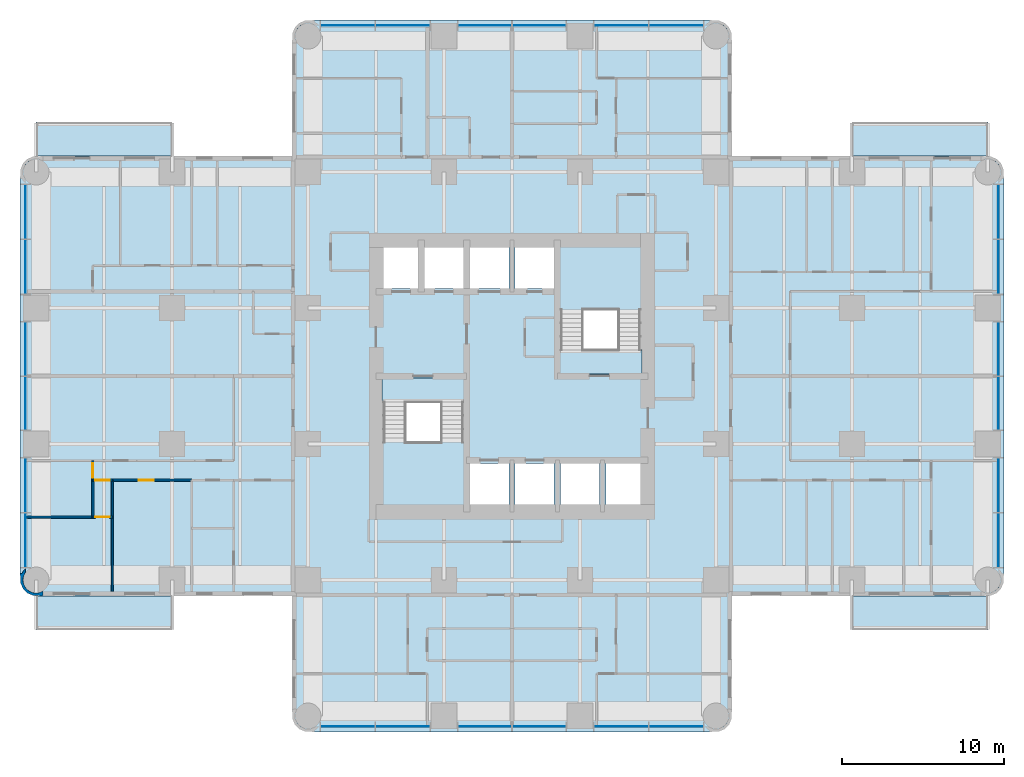
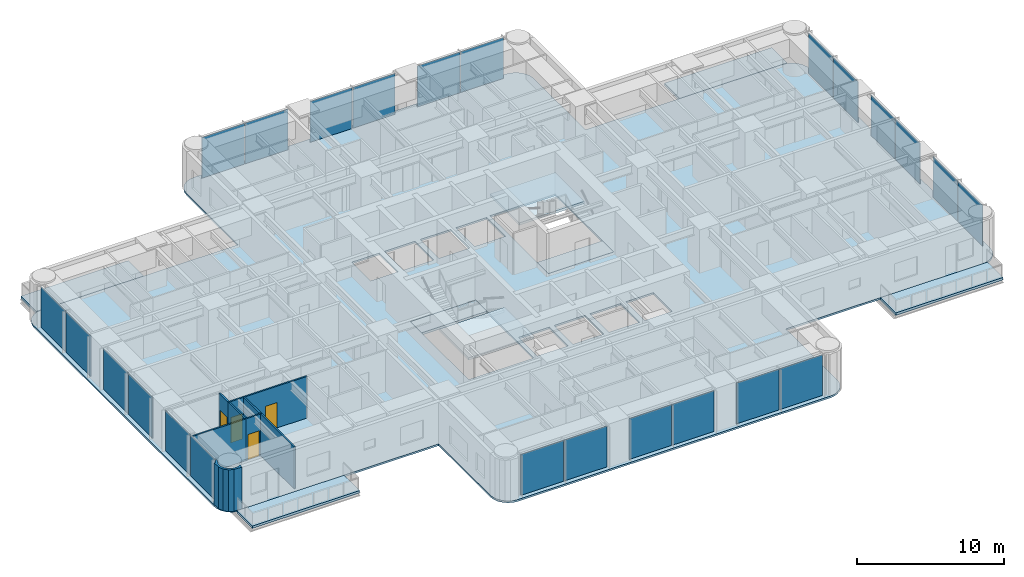
# One storey, part 5 of 14: 24 plates, 9 slabs, 9 walls, 4 doors, 4 openings, 6 elements without a shape of their own.
"""IFC4 building model written with IfcOpenShell, lengths in metres."""

from ifc_helpers import new_model, si_unit, direction, frame, frame_2d, origin, origin_2d, place, context, subcontext, project, spatial, polyline, rectangle, outline, extrude, material, layer, layer_set, type_object, element, fill, aggregate, save


model = new_model("IFC4")

# Units and contexts
model_context = context("Model", 3, precision=1e-05, world=origin(), true_north=direction((0.0, 1.0)))
body_context = subcontext(model_context, "Body", "Model", "MODEL_VIEW")
ifc_project = project(units=[si_unit("LENGTHUNIT", "METRE"), si_unit("AREAUNIT", "SQUARE_METRE"), si_unit("VOLUMEUNIT", "CUBIC_METRE"), si_unit("PLANEANGLEUNIT", "RADIAN"), si_unit("MASSUNIT", "GRAM", prefix="KILO")], contexts=[model_context])

# Site, building, storey
site_placement = place(None, origin())
site = spatial("IfcSite", under=ifc_project, at=site_placement, CompositionType="ELEMENT")
building_placement = place(site_placement, origin())
building = spatial("IfcBuilding", under=site, at=building_placement, Name="Torre Alcanfor", CompositionType="ELEMENT")
storey_placement = place(building_placement, frame((0.0, 0.0, 134.10009765625)))
storey = spatial("IfcBuildingStorey", under=building, at=storey_placement, Name="L34", CompositionType="ELEMENT", Elevation=134.10009765625)

# Slabs
ifc_material_1 = material(Name="Concrete f'c 35 MPa", Category="concrete")
ifc_layer_1 = layer(ifc_material_1, 0.199951171875)
ifc_layer_set_1 = layer_set([ifc_layer_1], Name="Balcony slab 200")
slab_type_1 = type_object("IfcSlabType", Name="Balcony slab 200", PredefinedType="FLOOR", material=ifc_layer_set_1)
slab_1_placement = place(storey_placement, frame((0.0, 0.0, -0.2001953125)))
element("IfcSlab", 1, at=slab_1_placement, inside=storey, type_object=slab_type_1, Name="Balcony L34-E1", PredefinedType="FLOOR", context=body_context, shape_type="SweptSolid", body=[
    extrude(outline(polyline([(50.39990234375, 43.0), (58.800048828125, 43.0), (58.800048828125, 45.10009765625), (50.39990234375, 45.10009765625), (50.39990234375, 43.0)])), origin(), (0.0, 0.0, 1.0), 0.2001953125),
])
slab_2_placement = place(storey_placement, frame((0.0, 0.0, -0.2001953125)))
element("IfcSlab", 2, at=slab_2_placement, inside=storey, type_object=slab_type_1, Name="Balcony L34-E2", PredefinedType="FLOOR", context=body_context, shape_type="SweptSolid", body=[
    extrude(outline(polyline([(50.39990234375, 13.699951171875), (58.800048828125, 13.699951171875), (58.800048828125, 15.800048828125), (50.39990234375, 15.800048828125), (50.39990234375, 13.699951171875)])), origin(), (0.0, 0.0, 1.0), 0.2001953125),
])
slab_3_placement = place(storey_placement, frame((0.0, 0.0, -0.2001953125)))
element("IfcSlab", 3, at=slab_3_placement, inside=storey, type_object=slab_type_1, Name="Balcony L34-W1", PredefinedType="FLOOR", context=body_context, shape_type="SweptSolid", body=[
    extrude(outline(polyline([(8.39990234375, 15.800048828125), (0.0, 15.800048828125), (0.0, 13.699951171875), (8.39990234375, 13.699951171875), (8.39990234375, 15.800048828125)])), origin(), (0.0, 0.0, 1.0), 0.2001953125),
])
slab_4_placement = place(storey_placement, frame((0.0, 0.0, -0.2001953125)))
element("IfcSlab", 4, at=slab_4_placement, inside=storey, type_object=slab_type_1, Name="Balcony L34-W2", PredefinedType="FLOOR", context=body_context, shape_type="SweptSolid", body=[
    extrude(outline(polyline([(8.39990234375, 45.10009765625), (0.0, 45.10009765625), (0.0, 43.0), (8.39990234375, 43.0), (8.39990234375, 45.10009765625)])), origin(), (0.0, 0.0, 1.0), 0.2001953125),
])

# Curtain wall, plates
ifc_material_2 = material(Name="Aluminium and glass", Category="aluminium")
curtain_wall_type = type_object("IfcCurtainWallType", Name="CW-A unitised apartment glazing with vertical FIN", PredefinedType="NOTDEFINED", material=ifc_material_2)
curtain_wall_1_placement = place(storey_placement, origin())
curtain_wall_1 = element("IfcCurtainWall", 5, at=curtain_wall_1_placement, inside=storey, type_object=curtain_wall_type, Name="Curtain wall CW-A L34 2", PredefinedType="NOTDEFINED")
ifc_material_3 = material(Name="Glass", Category="glass")
ifc_layer_2 = layer(ifc_material_3, 0.028076171875)
ifc_layer_set_2 = layer_set([ifc_layer_2], Name="CW-A clear double glazed unit")
plate_type = type_object("IfcPlateType", Name="CW-A clear double glazed unit", PredefinedType="CURTAIN_PANEL", material=ifc_layer_set_2)
plate_1_placement = place(storey_placement, frame((-0.64990234375, 39.541259765625, 0.0), z_axis=(0.0, 0.0, 1.0), x_axis=(0.0, -1.0, 0.0)))
plate_1 = element("IfcPlate", 6, at=plate_1_placement, type_object=plate_type, Name="CW-A panel 1.1.1", PredefinedType="CURTAIN_PANEL", context=body_context, shape_type="SweptSolid", body=[
    extrude(rectangle(XDim=3.337646484375, YDim=0.028076171875, at=origin_2d()), origin(), (0.0, 0.0, 1.0), 3.385009765625),
])
plate_2_placement = place(storey_placement, frame((-0.64990234375, 36.138671875, 0.0), z_axis=(0.0, 0.0, 1.0), x_axis=(0.0, -1.0, 0.0)))
plate_2 = element("IfcPlate", 7, at=plate_2_placement, type_object=plate_type, Name="CW-A panel 1.2.1", PredefinedType="CURTAIN_PANEL", context=body_context, shape_type="SweptSolid", body=[
    extrude(rectangle(XDim=3.337646484375, YDim=0.028076171875, at=origin_2d()), origin(), (0.0, 0.0, 1.0), 3.385009765625),
])
plate_3_placement = place(storey_placement, frame((-0.64990234375, 31.081298828125, 0.0), z_axis=(0.0, 0.0, 1.0), x_axis=(0.0, -1.0, 0.0)))
plate_3 = element("IfcPlate", 8, at=plate_3_placement, type_object=plate_type, Name="CW-A panel 2.1.1", PredefinedType="CURTAIN_PANEL", context=body_context, shape_type="SweptSolid", body=[
    extrude(rectangle(XDim=3.297607421875, YDim=0.028076171875, at=origin_2d()), origin(), (0.0, 0.0, 1.0), 3.385009765625),
])
plate_4_placement = place(storey_placement, frame((-0.64990234375, 27.71875, 0.0), z_axis=(0.0, 0.0, 1.0), x_axis=(0.0, -1.0, 0.0)))
plate_4 = element("IfcPlate", 9, at=plate_4_placement, type_object=plate_type, Name="CW-A panel 2.2.1", PredefinedType="CURTAIN_PANEL", context=body_context, shape_type="SweptSolid", body=[
    extrude(rectangle(XDim=3.297607421875, YDim=0.028076171875, at=origin_2d()), origin(), (0.0, 0.0, 1.0), 3.385009765625),
])
plate_5_placement = place(storey_placement, frame((-0.64990234375, 22.6611328125, 0.0), z_axis=(0.0, 0.0, 1.0), x_axis=(0.0, -1.0, 0.0)))
plate_5 = element("IfcPlate", 10, at=plate_5_placement, type_object=plate_type, Name="CW-A panel 3.1.1", PredefinedType="CURTAIN_PANEL", context=body_context, shape_type="SweptSolid", body=[
    extrude(rectangle(XDim=3.337646484375, YDim=0.028076171875, at=origin_2d()), origin(), (0.0, 0.0, 1.0), 3.385009765625),
])
plate_6_placement = place(storey_placement, frame((-0.64990234375, 19.2587890625, 0.0), z_axis=(0.0, 0.0, 1.0), x_axis=(0.0, -1.0, 0.0)))
plate_6 = element("IfcPlate", 11, at=plate_6_placement, type_object=plate_type, Name="CW-A panel 3.2.1", PredefinedType="CURTAIN_PANEL", context=body_context, shape_type="SweptSolid", body=[
    extrude(rectangle(XDim=3.337646484375, YDim=0.028076171875, at=origin_2d()), origin(), (0.0, 0.0, 1.0), 3.385009765625),
])
aggregate(curtain_wall_1, [plate_1, plate_2, plate_3, plate_4, plate_5, plate_6])

curtain_wall_2_placement = place(storey_placement, origin())
curtain_wall_2 = element("IfcCurtainWall", 12, at=curtain_wall_2_placement, inside=storey, type_object=curtain_wall_type, Name="Curtain wall CW-A L34 5", PredefinedType="NOTDEFINED")
plate_7_placement = place(storey_placement, frame((19.2587890625, 7.75, 0.0), z_axis=(0.0, 0.0, 1.0), x_axis=(1.0, 0.0, 0.0)))
plate_7 = element("IfcPlate", 13, at=plate_7_placement, type_object=plate_type, Name="CW-A panel 1.1.1", PredefinedType="CURTAIN_PANEL", context=body_context, shape_type="SweptSolid", body=[
    extrude(rectangle(XDim=3.337646484375, YDim=0.028076171875, at=origin_2d()), origin(), (0.0, 0.0, 1.0), 3.385009765625),
])
plate_8_placement = place(storey_placement, frame((22.6611328125, 7.75, 0.0), z_axis=(0.0, 0.0, 1.0), x_axis=(1.0, 0.0, 0.0)))
plate_8 = element("IfcPlate", 14, at=plate_8_placement, type_object=plate_type, Name="CW-A panel 1.2.1", PredefinedType="CURTAIN_PANEL", context=body_context, shape_type="SweptSolid", body=[
    extrude(rectangle(XDim=3.337646484375, YDim=0.028076171875, at=origin_2d()), origin(), (0.0, 0.0, 1.0), 3.385009765625),
])
plate_9_placement = place(storey_placement, frame((27.71875, 7.75, 0.0), z_axis=(0.0, 0.0, 1.0), x_axis=(1.0, 0.0, 0.0)))
plate_9 = element("IfcPlate", 15, at=plate_9_placement, type_object=plate_type, Name="CW-A panel 2.1.1", PredefinedType="CURTAIN_PANEL", context=body_context, shape_type="SweptSolid", body=[
    extrude(rectangle(XDim=3.297607421875, YDim=0.028076171875, at=origin_2d()), origin(), (0.0, 0.0, 1.0), 3.385009765625),
])
plate_10_placement = place(storey_placement, frame((31.081298828125, 7.75, 0.0), z_axis=(0.0, 0.0, 1.0), x_axis=(1.0, 0.0, 0.0)))
plate_10 = element("IfcPlate", 16, at=plate_10_placement, type_object=plate_type, Name="CW-A panel 2.2.1", PredefinedType="CURTAIN_PANEL", context=body_context, shape_type="SweptSolid", body=[
    extrude(rectangle(XDim=3.297607421875, YDim=0.028076171875, at=origin_2d()), origin(), (0.0, 0.0, 1.0), 3.385009765625),
])
plate_11_placement = place(storey_placement, frame((36.138671875, 7.75, 0.0), z_axis=(0.0, 0.0, 1.0), x_axis=(1.0, 0.0, 0.0)))
plate_11 = element("IfcPlate", 17, at=plate_11_placement, type_object=plate_type, Name="CW-A panel 3.1.1", PredefinedType="CURTAIN_PANEL", context=body_context, shape_type="SweptSolid", body=[
    extrude(rectangle(XDim=3.337646484375, YDim=0.028076171875, at=origin_2d()), origin(), (0.0, 0.0, 1.0), 3.385009765625),
])
plate_12_placement = place(storey_placement, frame((39.541259765625, 7.75, 0.0), z_axis=(0.0, 0.0, 1.0), x_axis=(1.0, 0.0, 0.0)))
plate_12 = element("IfcPlate", 18, at=plate_12_placement, type_object=plate_type, Name="CW-A panel 3.2.1", PredefinedType="CURTAIN_PANEL", context=body_context, shape_type="SweptSolid", body=[
    extrude(rectangle(XDim=3.337646484375, YDim=0.028076171875, at=origin_2d()), origin(), (0.0, 0.0, 1.0), 3.385009765625),
])
aggregate(curtain_wall_2, [plate_7, plate_8, plate_9, plate_10, plate_11, plate_12])

curtain_wall_3_placement = place(storey_placement, origin())
curtain_wall_3 = element("IfcCurtainWall", 19, at=curtain_wall_3_placement, inside=storey, type_object=curtain_wall_type, Name="Curtain wall CW-A L34 8", PredefinedType="NOTDEFINED")
plate_13_placement = place(storey_placement, frame((59.449951171875, 19.2587890625, 0.0), z_axis=(0.0, 0.0, 1.0), x_axis=(0.0, 1.0, 0.0)))
plate_13 = element("IfcPlate", 20, at=plate_13_placement, type_object=plate_type, Name="CW-A panel 1.1.1", PredefinedType="CURTAIN_PANEL", context=body_context, shape_type="SweptSolid", body=[
    extrude(rectangle(XDim=3.337646484375, YDim=0.028076171875, at=origin_2d()), origin(), (0.0, 0.0, 1.0), 3.385009765625),
])
plate_14_placement = place(storey_placement, frame((59.449951171875, 22.6611328125, 0.0), z_axis=(0.0, 0.0, 1.0), x_axis=(0.0, 1.0, 0.0)))
plate_14 = element("IfcPlate", 21, at=plate_14_placement, type_object=plate_type, Name="CW-A panel 1.2.1", PredefinedType="CURTAIN_PANEL", context=body_context, shape_type="SweptSolid", body=[
    extrude(rectangle(XDim=3.337646484375, YDim=0.028076171875, at=origin_2d()), origin(), (0.0, 0.0, 1.0), 3.385009765625),
])
plate_15_placement = place(storey_placement, frame((59.449951171875, 27.71875, 0.0), z_axis=(0.0, 0.0, 1.0), x_axis=(0.0, 1.0, 0.0)))
plate_15 = element("IfcPlate", 22, at=plate_15_placement, type_object=plate_type, Name="CW-A panel 2.1.1", PredefinedType="CURTAIN_PANEL", context=body_context, shape_type="SweptSolid", body=[
    extrude(rectangle(XDim=3.297607421875, YDim=0.028076171875, at=origin_2d()), origin(), (0.0, 0.0, 1.0), 3.385009765625),
])
plate_16_placement = place(storey_placement, frame((59.449951171875, 31.081298828125, 0.0), z_axis=(0.0, 0.0, 1.0), x_axis=(0.0, 1.0, 0.0)))
plate_16 = element("IfcPlate", 23, at=plate_16_placement, type_object=plate_type, Name="CW-A panel 2.2.1", PredefinedType="CURTAIN_PANEL", context=body_context, shape_type="SweptSolid", body=[
    extrude(rectangle(XDim=3.297607421875, YDim=0.028076171875, at=origin_2d()), origin(), (0.0, 0.0, 1.0), 3.385009765625),
])
plate_17_placement = place(storey_placement, frame((59.449951171875, 36.138671875, 0.0), z_axis=(0.0, 0.0, 1.0), x_axis=(0.0, 1.0, 0.0)))
plate_17 = element("IfcPlate", 24, at=plate_17_placement, type_object=plate_type, Name="CW-A panel 3.1.1", PredefinedType="CURTAIN_PANEL", context=body_context, shape_type="SweptSolid", body=[
    extrude(rectangle(XDim=3.337646484375, YDim=0.028076171875, at=origin_2d()), origin(), (0.0, 0.0, 1.0), 3.385009765625),
])
plate_18_placement = place(storey_placement, frame((59.449951171875, 39.541259765625, 0.0), z_axis=(0.0, 0.0, 1.0), x_axis=(0.0, 1.0, 0.0)))
plate_18 = element("IfcPlate", 25, at=plate_18_placement, type_object=plate_type, Name="CW-A panel 3.2.1", PredefinedType="CURTAIN_PANEL", context=body_context, shape_type="SweptSolid", body=[
    extrude(rectangle(XDim=3.337646484375, YDim=0.028076171875, at=origin_2d()), origin(), (0.0, 0.0, 1.0), 3.385009765625),
])
aggregate(curtain_wall_3, [plate_13, plate_14, plate_15, plate_16, plate_17, plate_18])

curtain_wall_4_placement = place(storey_placement, origin())
curtain_wall_4 = element("IfcCurtainWall", 26, at=curtain_wall_4_placement, inside=storey, type_object=curtain_wall_type, Name="Curtain wall CW-A L34 11", PredefinedType="NOTDEFINED")
plate_19_placement = place(storey_placement, frame((39.541259765625, 51.050048828125, 0.0), z_axis=(0.0, 0.0, 1.0), x_axis=(-1.0, 0.0, 0.0)))
plate_19 = element("IfcPlate", 27, at=plate_19_placement, type_object=plate_type, Name="CW-A panel 1.1.1", PredefinedType="CURTAIN_PANEL", context=body_context, shape_type="SweptSolid", body=[
    extrude(rectangle(XDim=3.337646484375, YDim=0.028076171875, at=origin_2d()), origin(), (0.0, 0.0, 1.0), 3.385009765625),
])
plate_20_placement = place(storey_placement, frame((36.138671875, 51.050048828125, 0.0), z_axis=(0.0, 0.0, 1.0), x_axis=(-1.0, 0.0, 0.0)))
plate_20 = element("IfcPlate", 28, at=plate_20_placement, type_object=plate_type, Name="CW-A panel 1.2.1", PredefinedType="CURTAIN_PANEL", context=body_context, shape_type="SweptSolid", body=[
    extrude(rectangle(XDim=3.337646484375, YDim=0.028076171875, at=origin_2d()), origin(), (0.0, 0.0, 1.0), 3.385009765625),
])
plate_21_placement = place(storey_placement, frame((31.081298828125, 51.050048828125, 0.0), z_axis=(0.0, 0.0, 1.0), x_axis=(-1.0, 0.0, 0.0)))
plate_21 = element("IfcPlate", 29, at=plate_21_placement, type_object=plate_type, Name="CW-A panel 2.1.1", PredefinedType="CURTAIN_PANEL", context=body_context, shape_type="SweptSolid", body=[
    extrude(rectangle(XDim=3.297607421875, YDim=0.028076171875, at=origin_2d()), origin(), (0.0, 0.0, 1.0), 3.385009765625),
])
plate_22_placement = place(storey_placement, frame((27.71875, 51.050048828125, 0.0), z_axis=(0.0, 0.0, 1.0), x_axis=(-1.0, 0.0, 0.0)))
plate_22 = element("IfcPlate", 30, at=plate_22_placement, type_object=plate_type, Name="CW-A panel 2.2.1", PredefinedType="CURTAIN_PANEL", context=body_context, shape_type="SweptSolid", body=[
    extrude(rectangle(XDim=3.297607421875, YDim=0.028076171875, at=origin_2d()), origin(), (0.0, 0.0, 1.0), 3.385009765625),
])
plate_23_placement = place(storey_placement, frame((22.6611328125, 51.050048828125, 0.0), z_axis=(0.0, 0.0, 1.0), x_axis=(-1.0, 0.0, 0.0)))
plate_23 = element("IfcPlate", 31, at=plate_23_placement, type_object=plate_type, Name="CW-A panel 3.1.1", PredefinedType="CURTAIN_PANEL", context=body_context, shape_type="SweptSolid", body=[
    extrude(rectangle(XDim=3.337646484375, YDim=0.028076171875, at=origin_2d()), origin(), (0.0, 0.0, 1.0), 3.385009765625),
])
plate_24_placement = place(storey_placement, frame((19.2587890625, 51.050048828125, 0.0), z_axis=(0.0, 0.0, 1.0), x_axis=(-1.0, 0.0, 0.0)))
plate_24 = element("IfcPlate", 32, at=plate_24_placement, type_object=plate_type, Name="CW-A panel 3.2.1", PredefinedType="CURTAIN_PANEL", context=body_context, shape_type="SweptSolid", body=[
    extrude(rectangle(XDim=3.337646484375, YDim=0.028076171875, at=origin_2d()), origin(), (0.0, 0.0, 1.0), 3.385009765625),
])
aggregate(curtain_wall_4, [plate_19, plate_20, plate_21, plate_22, plate_23, plate_24])

# Slab
ifc_material_4 = material(Name="Concrete f'c 35 MPa", Category="concrete")
ifc_layer_3 = layer(ifc_material_4, 0.14990234375)
ifc_layer_set_3 = layer_set([ifc_layer_3], Name="Composite floor 150 on metal deck")
slab_type_2 = type_object("IfcSlabType", Name="Composite floor 150 on metal deck", PredefinedType="FLOOR", material=ifc_layer_set_3)
slab_5_placement = place(storey_placement, frame((0.0, 0.0, -0.150146484375)))
element("IfcSlab", 33, at=slab_5_placement, inside=storey, type_object=slab_type_2, Name="Floor slab L34", PredefinedType="FLOOR", context=body_context, shape_type="SweptSolid", body=[
    extrude(outline(polyline([(15.800048828125, 43.0), (0.39990234375, 43.0), (0.03759765625, 42.952392578125), (-0.300048828125, 42.8125), (-0.58984375, 42.58984375), (-0.8125, 42.300048828125), (-0.952392578125, 41.96240234375), (-1.0, 41.60009765625), (-1.0, 17.199951171875), (-0.952392578125, 16.837646484375), (-0.8125, 16.5), (-0.58984375, 16.210205078125), (-0.300048828125, 15.987548828125), (0.03759765625, 15.84765625), (0.39990234375, 15.800048828125), (15.800048828125, 15.800048828125), (15.800048828125, 8.800048828125), (15.84765625, 8.437744140625), (15.987548828125, 8.10009765625), (16.210205078125, 7.81005859375), (16.5, 7.587646484375), (16.837646484375, 7.44775390625), (17.199951171875, 7.39990234375), (41.60009765625, 7.39990234375), (41.96240234375, 7.44775390625), (42.300048828125, 7.587646484375), (42.58984375, 7.81005859375), (42.8125, 8.10009765625), (42.952392578125, 8.437744140625), (43.0, 8.800048828125), (43.0, 15.800048828125), (58.39990234375, 15.800048828125), (58.76220703125, 15.84765625), (59.10009765625, 15.987548828125), (59.389892578125, 16.210205078125), (59.6123046875, 16.5), (59.752197265625, 16.837646484375), (59.800048828125, 17.199951171875), (59.800048828125, 41.60009765625), (59.752197265625, 41.96240234375), (59.6123046875, 42.300048828125), (59.389892578125, 42.58984375), (59.10009765625, 42.8125), (58.76220703125, 42.952392578125), (58.39990234375, 43.0), (43.0, 43.0), (43.0, 50.0), (42.952392578125, 50.3623046875), (42.8125, 50.699951171875), (42.58984375, 50.989990234375), (42.300048828125, 51.21240234375), (41.96240234375, 51.352294921875), (41.60009765625, 51.39990234375), (17.199951171875, 51.39990234375), (16.837646484375, 51.352294921875), (16.5, 51.21240234375), (16.210205078125, 50.989990234375), (15.987548828125, 50.699951171875), (15.84765625, 50.3623046875), (15.800048828125, 50.0), (15.800048828125, 43.0)]), holes=[polyline([(21.3701171875, 21.3701171875), (26.47998046875, 21.3701171875), (26.47998046875, 29.280029296875), (21.3701171875, 29.280029296875), (21.3701171875, 21.3701171875)]), polyline([(32.320068359375, 29.52001953125), (37.429931640625, 29.52001953125), (37.429931640625, 37.429931640625), (32.320068359375, 37.429931640625), (32.320068359375, 29.52001953125)]), polyline([(26.800048828125, 21.449951171875), (29.199951171875, 21.449951171875), (29.199951171875, 24.0), (26.800048828125, 24.0), (26.800048828125, 21.449951171875)]), polyline([(29.60009765625, 21.449951171875), (32.0, 21.449951171875), (32.0, 24.0), (29.60009765625, 24.0), (29.60009765625, 21.449951171875)]), polyline([(32.39990234375, 21.449951171875), (34.800048828125, 21.449951171875), (34.800048828125, 24.0), (32.39990234375, 24.0), (32.39990234375, 21.449951171875)]), polyline([(35.199951171875, 21.449951171875), (37.35009765625, 21.449951171875), (37.35009765625, 24.0), (35.199951171875, 24.0), (35.199951171875, 21.449951171875)]), polyline([(21.449951171875, 34.800048828125), (23.60009765625, 34.800048828125), (23.60009765625, 37.35009765625), (21.449951171875, 37.35009765625), (21.449951171875, 34.800048828125)]), polyline([(24.0, 34.800048828125), (26.39990234375, 34.800048828125), (26.39990234375, 37.35009765625), (24.0, 37.35009765625), (24.0, 34.800048828125)]), polyline([(26.800048828125, 34.800048828125), (29.199951171875, 34.800048828125), (29.199951171875, 37.35009765625), (26.800048828125, 37.35009765625), (26.800048828125, 34.800048828125)]), polyline([(29.60009765625, 34.800048828125), (32.0, 34.800048828125), (32.0, 37.35009765625), (29.60009765625, 37.35009765625), (29.60009765625, 34.800048828125)])]), origin(), (0.0, 0.0, 1.0), 0.150146484375),
])

# Stair, slabs
ifc_material_5 = material(Name="Concrete f'c 35 MPa", Category="concrete")
stair_type_1 = type_object("IfcStairType", Name="Exit stair S1 1400 wide", PredefinedType="HALF_TURN_STAIR", material=ifc_material_5)
stair_1_placement = place(storey_placement, origin())
stair_1 = element("IfcStair", 34, at=stair_1_placement, inside=storey, type_object=stair_type_1, Name="Stair S1 L34 to L35", PredefinedType="HALF_TURN_STAIR")
ifc_material_6 = material(Name="Concrete f'c 35 MPa", Category="concrete")
ifc_layer_4 = layer(ifc_material_6, 0.199951171875)
ifc_layer_set_4 = layer_set([ifc_layer_4], Name="Stair landing 200")
slab_type_3 = type_object("IfcSlabType", Name="Stair landing 200", PredefinedType="LANDING", material=ifc_layer_set_4)
slab_6_placement = place(storey_placement, frame((0.0, 0.0, -0.2001953125)))
slab_6 = element("IfcSlab", 35, at=slab_6_placement, type_object=slab_type_3, Name="S1 landing 1", PredefinedType="LANDING", context=body_context, shape_type="SweptSolid", body=[
    extrude(outline(polyline([(21.3701171875, 27.75), (26.47998046875, 27.75), (26.47998046875, 29.280029296875), (21.3701171875, 29.280029296875), (21.3701171875, 27.75)])), origin(), (0.0, 0.0, 1.0), 0.2001953125),
])
slab_7_placement = place(storey_placement, frame((0.0, 0.0, 1.599853515625)))
slab_7 = element("IfcSlab", 36, at=slab_7_placement, type_object=slab_type_3, Name="S1 landing 2", PredefinedType="LANDING", context=body_context, shape_type="SweptSolid", body=[
    extrude(outline(polyline([(21.3701171875, 21.3701171875), (26.47998046875, 21.3701171875), (26.47998046875, 25.330078125), (21.3701171875, 25.330078125), (21.3701171875, 21.3701171875)])), origin(), (0.0, 0.0, 1.0), 0.199951171875),
])
aggregate(stair_1, [slab_6, slab_7])

ifc_material_7 = material(Name="Concrete f'c 35 MPa", Category="concrete")
stair_type_2 = type_object("IfcStairType", Name="Exit stair S2 1400 wide", PredefinedType="HALF_TURN_STAIR", material=ifc_material_7)
stair_2_placement = place(storey_placement, origin())
stair_2 = element("IfcStair", 37, at=stair_2_placement, inside=storey, type_object=stair_type_2, Name="Stair S2 L34 to L35", PredefinedType="HALF_TURN_STAIR")
slab_8_placement = place(storey_placement, frame((0.0, 0.0, -0.2001953125)))
slab_8 = element("IfcSlab", 38, at=slab_8_placement, type_object=slab_type_3, Name="S2 landing 1", PredefinedType="LANDING", context=body_context, shape_type="SweptSolid", body=[
    extrude(outline(polyline([(32.320068359375, 29.52001953125), (37.429931640625, 29.52001953125), (37.429931640625, 31.050048828125), (32.320068359375, 31.050048828125), (32.320068359375, 29.52001953125)])), origin(), (0.0, 0.0, 1.0), 0.2001953125),
])
slab_9_placement = place(storey_placement, frame((0.0, 0.0, 1.599853515625)))
slab_9 = element("IfcSlab", 39, at=slab_9_placement, type_object=slab_type_3, Name="S2 landing 2", PredefinedType="LANDING", context=body_context, shape_type="SweptSolid", body=[
    extrude(outline(polyline([(32.320068359375, 33.469970703125), (37.429931640625, 33.469970703125), (37.429931640625, 37.429931640625), (32.320068359375, 37.429931640625), (32.320068359375, 33.469970703125)])), origin(), (0.0, 0.0, 1.0), 0.199951171875),
])
aggregate(stair_2, [slab_8, slab_9])

# Wall, opening, door
ifc_material_8 = material(Name="Gypsum board on steel studs", Category="steel")
ifc_layer_5 = layer(ifc_material_8, 0.1201171875)
ifc_layer_set_5 = layer_set([ifc_layer_5], Name="Apartment partition 120")
wall_type_1 = type_object("IfcWallType", Name="Apartment partition 120", PredefinedType="PARTITIONING", material=ifc_layer_set_5)
wall_1_placement = place(storey_placement, frame((4.699951171875, 22.970947265625, 0.0), z_axis=(0.0, 0.0, 1.0), x_axis=(1.0, 0.0, 0.0)))
wall_1 = element("IfcWall", 40, at=wall_1_placement, inside=storey, type_object=wall_type_1, Name="Partition L34-W1-HALL / L34-W1-BED3", PredefinedType="PARTITIONING", context=body_context, shape_type="SweptSolid", body=[
    extrude(rectangle(XDim=4.900146484375, YDim=0.1201171875, at=frame_2d((2.4501953125, 0.0))), origin(), (0.0, 0.0, 1.0), 3.449951171875),
])
opening_1_placement = place(wall_1_placement, frame((1.64990234375, 0.0, 0.0)))
opening_1 = element("IfcOpeningElement", 41, at=opening_1_placement, cuts=wall_1, Name="Opening D-R1", PredefinedType="OPENING", context=body_context, shape_type="SweptSolid", body=[
    extrude(rectangle(XDim=0.89990234375, YDim=2.10009765625, at=frame_2d((0.449951171875, 1.050048828125))), frame((0.0, 0.070068359375, 0.0), z_axis=(0.0, -1.0, 0.0), x_axis=(1.0, 0.0, 0.0)), (0.0, 0.0, 1.0), 0.14013671875),
])
ifc_material_9 = material(Name="Timber", Category="wood")
door_type = type_object("IfcDoorType", Name="Internal door 900x2100", OperationType="SINGLE_SWING_LEFT", PredefinedType="DOOR", material=ifc_material_9)
door_1_placement = place(opening_1_placement, frame((0.89990234375, 0.0, 0.0), z_axis=(0.0, 0.0, 1.0), x_axis=(-1.0, 0.0, 0.0)))
door_1 = element("IfcDoor", 42, at=door_1_placement, inside=storey, type_object=door_type, Name="Door L34-W1 bed3", OperationType="SINGLE_SWING_RIGHT", OverallHeight=2.10009765625, OverallWidth=0.89990234375, PredefinedType="DOOR", context=body_context, shape_type="SweptSolid", body=[
    extrude(rectangle(XDim=0.89990234375, YDim=2.10009765625, at=frame_2d((0.449951171875, 1.050048828125))), frame((0.0, 0.025146484375, 0.0), z_axis=(0.0, -1.0, 0.0), x_axis=(1.0, 0.0, 0.0)), (0.0, 0.0, 1.0), 0.050048828125),
])
fill(opening_1, door_1)

wall_2_placement = place(storey_placement, frame((3.5, 22.970947265625, 0.0), z_axis=(0.0, 0.0, 1.0), x_axis=(1.0, 0.0, 0.0)))
wall_2 = element("IfcWall", 43, at=wall_2_placement, inside=storey, type_object=wall_type_1, Name="Partition L34-W1-HALL / L34-W1-VEST", PredefinedType="PARTITIONING", context=body_context, shape_type="SweptSolid", body=[
    extrude(rectangle(XDim=1.199951171875, YDim=0.1201171875, at=frame_2d((0.60009765625, 0.0))), origin(), (0.0, 0.0, 1.0), 3.449951171875),
])
opening_2_placement = place(wall_2_placement, frame((0.14990234375, 0.0, 0.0)))
opening_2 = element("IfcOpeningElement", 44, at=opening_2_placement, cuts=wall_2, Name="Opening D-R1", PredefinedType="OPENING", context=body_context, shape_type="SweptSolid", body=[
    extrude(rectangle(XDim=0.89990234375, YDim=2.10009765625, at=frame_2d((0.449951171875, 1.050048828125))), frame((0.0, 0.070068359375, 0.0), z_axis=(0.0, -1.0, 0.0), x_axis=(1.0, 0.0, 0.0)), (0.0, 0.0, 1.0), 0.14013671875),
])
door_2_placement = place(opening_2_placement, frame((0.89990234375, 0.0, 0.0), z_axis=(0.0, 0.0, 1.0), x_axis=(-1.0, 0.0, 0.0)))
door_2 = element("IfcDoor", 45, at=door_2_placement, inside=storey, type_object=door_type, Name="Door L34-W1 vest", OperationType="SINGLE_SWING_RIGHT", OverallHeight=2.10009765625, OverallWidth=0.89990234375, PredefinedType="DOOR", context=body_context, shape_type="SweptSolid", body=[
    extrude(rectangle(XDim=0.89990234375, YDim=2.10009765625, at=frame_2d((0.449951171875, 1.050048828125))), frame((0.0, 0.025146484375, 0.0), z_axis=(0.0, -1.0, 0.0), x_axis=(1.0, 0.0, 0.0)), (0.0, 0.0, 1.0), 0.050048828125),
])
fill(opening_2, door_2)

wall_3_placement = place(storey_placement, frame((3.5, 24.1708984375, 0.0), z_axis=(0.0, 0.0, 1.0), x_axis=(0.0, -1.0, 0.0)))
wall_3 = element("IfcWall", 46, at=wall_3_placement, inside=storey, type_object=wall_type_1, Name="Partition L34-W1-HALL / L34-W1-BED2", PredefinedType="PARTITIONING", context=body_context, shape_type="SweptSolid", body=[
    extrude(rectangle(XDim=1.199951171875, YDim=0.1201171875, at=frame_2d((0.60009765625, 0.0))), origin(), (0.0, 0.0, 1.0), 3.449951171875),
])
opening_3_placement = place(wall_3_placement, frame((0.15087890625, 0.0, 0.0)))
opening_3 = element("IfcOpeningElement", 47, at=opening_3_placement, cuts=wall_3, Name="Opening D-R1", PredefinedType="OPENING", context=body_context, shape_type="SweptSolid", body=[
    extrude(rectangle(XDim=0.89990234375, YDim=2.10009765625, at=frame_2d((0.449951171875, 1.050048828125))), frame((0.0, 0.070068359375, 0.0), z_axis=(0.0, -1.0, 0.0), x_axis=(1.0, 0.0, 0.0)), (0.0, 0.0, 1.0), 0.14013671875),
])
door_3_placement = place(opening_3_placement, frame((0.89990234375, 0.0, 0.0), z_axis=(0.0, 0.0, 1.0), x_axis=(-1.0, 0.0, 0.0)))
door_3 = element("IfcDoor", 48, at=door_3_placement, inside=storey, type_object=door_type, Name="Door L34-W1 bed2", OperationType="SINGLE_SWING_RIGHT", OverallHeight=2.10009765625, OverallWidth=0.89990234375, PredefinedType="DOOR", context=body_context, shape_type="SweptSolid", body=[
    extrude(rectangle(XDim=0.89990234375, YDim=2.10009765625, at=frame_2d((0.449951171875, 1.050048828125))), frame((0.0, 0.025146484375, 0.0), z_axis=(0.0, -1.0, 0.0), x_axis=(1.0, 0.0, 0.0)), (0.0, 0.0, 1.0), 0.050048828125),
])
fill(opening_3, door_3)

# Walls
wall_4_placement = place(storey_placement, frame((4.699951171875, 22.970947265625, 0.0), z_axis=(0.0, 0.0, 1.0), x_axis=(0.0, -1.0, 0.0)))
element("IfcWall", 49, at=wall_4_placement, inside=storey, type_object=wall_type_1, Name="Partition L34-W1-BED3 / L34-W1-VEST", PredefinedType="PARTITIONING", context=body_context, shape_type="SweptSolid", body=[
    extrude(rectangle(XDim=2.284912109375, YDim=0.1201171875, at=frame_2d((1.142578125, 0.0))), origin(), (0.0, 0.0, 1.0), 3.449951171875),
])
wall_5_placement = place(storey_placement, frame((4.699951171875, 20.68603515625, 0.0), z_axis=(0.0, 0.0, 1.0), x_axis=(0.0, -1.0, 0.0)))
element("IfcWall", 50, at=wall_5_placement, inside=storey, type_object=wall_type_1, Name="Partition L34-W1-BED3 / L34-W1-MASTER", PredefinedType="PARTITIONING", context=body_context, shape_type="SweptSolid", body=[
    extrude(rectangle(XDim=4.5859375, YDim=0.1201171875, at=frame_2d((2.29296875, 0.0))), origin(), (0.0, 0.0, 1.0), 3.449951171875),
])
wall_6_placement = place(storey_placement, frame((3.5, 22.970947265625, 0.0), z_axis=(0.0, 0.0, 1.0), x_axis=(0.0, -1.0, 0.0)))
element("IfcWall", 51, at=wall_6_placement, inside=storey, type_object=wall_type_1, Name="Partition L34-W1-VEST / L34-W1-BED2", PredefinedType="PARTITIONING", context=body_context, shape_type="SweptSolid", body=[
    extrude(rectangle(XDim=2.284912109375, YDim=0.1201171875, at=frame_2d((1.142578125, 0.0))), origin(), (0.0, 0.0, 1.0), 3.449951171875),
])

# Wall, opening, door
wall_7_placement = place(storey_placement, frame((3.5, 20.68603515625, 0.0), z_axis=(0.0, 0.0, 1.0), x_axis=(1.0, 0.0, 0.0)))
wall_7 = element("IfcWall", 52, at=wall_7_placement, inside=storey, type_object=wall_type_1, Name="Partition L34-W1-VEST / L34-W1-MASTER", PredefinedType="PARTITIONING", context=body_context, shape_type="SweptSolid", body=[
    extrude(rectangle(XDim=1.199951171875, YDim=0.1201171875, at=frame_2d((0.60009765625, 0.0))), origin(), (0.0, 0.0, 1.0), 3.449951171875),
])
opening_4_placement = place(wall_7_placement, frame((0.14990234375, 0.0, 0.0)))
opening_4 = element("IfcOpeningElement", 53, at=opening_4_placement, cuts=wall_7, Name="Opening D-R1", PredefinedType="OPENING", context=body_context, shape_type="SweptSolid", body=[
    extrude(rectangle(XDim=0.89990234375, YDim=2.10009765625, at=frame_2d((0.449951171875, 1.050048828125))), frame((0.0, 0.070068359375, 0.0), z_axis=(0.0, -1.0, 0.0), x_axis=(1.0, 0.0, 0.0)), (0.0, 0.0, 1.0), 0.14013671875),
])
door_4_placement = place(opening_4_placement, origin())
door_4 = element("IfcDoor", 54, at=door_4_placement, inside=storey, type_object=door_type, Name="Door L34-W1 master", OperationType="SINGLE_SWING_LEFT", OverallHeight=2.10009765625, OverallWidth=0.89990234375, PredefinedType="DOOR", context=body_context, shape_type="SweptSolid", body=[
    extrude(rectangle(XDim=0.89990234375, YDim=2.10009765625, at=frame_2d((0.449951171875, 1.050048828125))), frame((0.0, 0.02490234375, 0.0), z_axis=(0.0, -1.0, 0.0), x_axis=(1.0, 0.0, 0.0)), (0.0, 0.0, 1.0), 0.050048828125),
])
fill(opening_4, door_4)

# Walls
wall_8_placement = place(storey_placement, frame((-0.64990234375, 20.68603515625, 0.0), z_axis=(0.0, 0.0, 1.0), x_axis=(1.0, 0.0, 0.0)))
element("IfcWall", 55, at=wall_8_placement, inside=storey, type_object=wall_type_1, Name="Partition L34-W1-BED2 / L34-W1-MASTER", PredefinedType="PARTITIONING", context=body_context, shape_type="SweptSolid", body=[
    extrude(rectangle(XDim=4.14990234375, YDim=0.1201171875, at=frame_2d((2.074951171875, 0.0))), origin(), (0.0, 0.0, 1.0), 3.449951171875),
])
ifc_material_10 = material(Name="Limestone cladding", Category="masonry")
ifc_layer_6 = layer(ifc_material_10, 0.0400390625, Name="Facing")
ifc_material_11 = material(Name="Ventilated air cavity")
ifc_layer_7 = layer(ifc_material_11, 0.02001953125, ventilated=True, Name="Ventilated joint")
ifc_material_12 = material(Name="Mineral wool insulation", Category="insulation")
ifc_layer_8 = layer(ifc_material_12, 0.10009765625, Name="Insulation")
ifc_material_13 = material(Name="Concrete f'c 35 MPa", Category="concrete")
ifc_layer_9 = layer(ifc_material_13, 0.139892578125, Name="Backing")
ifc_layer_set_6 = layer_set([ifc_layer_6, ifc_layer_7, ifc_layer_8, ifc_layer_9], Name="Rounded corner pier stone-clad 300")
wall_type_2 = type_object("IfcWallType", Name="Rounded corner pier stone-clad 300", PredefinedType="SOLIDWALL", material=ifc_layer_set_6)
wall_9_placement = place(storey_placement, frame((-0.595317512, 17.448071802, 0.0), z_axis=(0.0, 0.0, 1.0), x_axis=(-0.93923434088, -0.343276641956, 0.0)))
element("IfcWall", 56, at=wall_9_placement, inside=storey, type_object=wall_type_2, Name="Corner pier L34 14", PredefinedType="SOLIDWALL", context=body_context, shape_type="SweptSolid", body=[
    extrude(outline(polyline([(-0.36901687290747565, 1.8895155017116005), (-0.5091640790076659, 1.6212761977701722), (-0.4905903530283585, 1.6144877680830545), (-0.47948243923657013, 1.6086084348003613), (-0.21122522327048593, 1.6199972505432854), (0.08778883447046232, 1.5107119133580826), (0.3225108976454373, 1.2952164137736593), (0.4570343816413681, 1.0061292766156664), (0.470385530542732, 0.6877670550734887), (0.36101638558361415, 0.38852369207353665), (0.14552088599919094, 0.15380162889856172), (0.10803112982284666, 0.13657123594691412), (0.030844170047101382, -0.07461890759558078), (0.24094301513563465, 0.023009904898978376), (0.3335722649355225, 0.12354205241220817), (0.46526570659148436, 0.09412537095504334), (0.5319165148651629, 0.3931255880778293), (0.6305582647631567, 0.6630178779252955), (0.6143066479271062, 1.0445648337608835), (0.4533864294189357, 1.390867848169107), (0.172157378959642, 1.6490946263605986), (-0.09750560562882049, 1.747652568484677), (-0.36901687290747565, 1.8895155017116005)])), origin(), (0.0, 0.0, 1.0), 3.449951171875),
])

save(model, "model.ifc")
